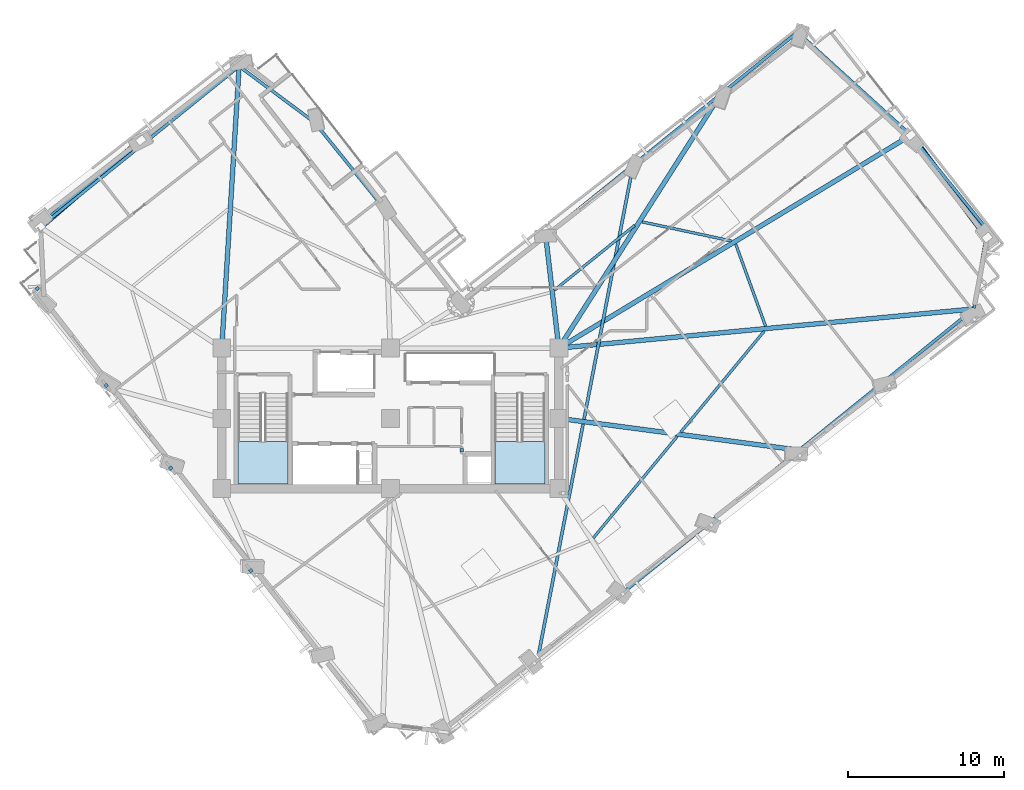
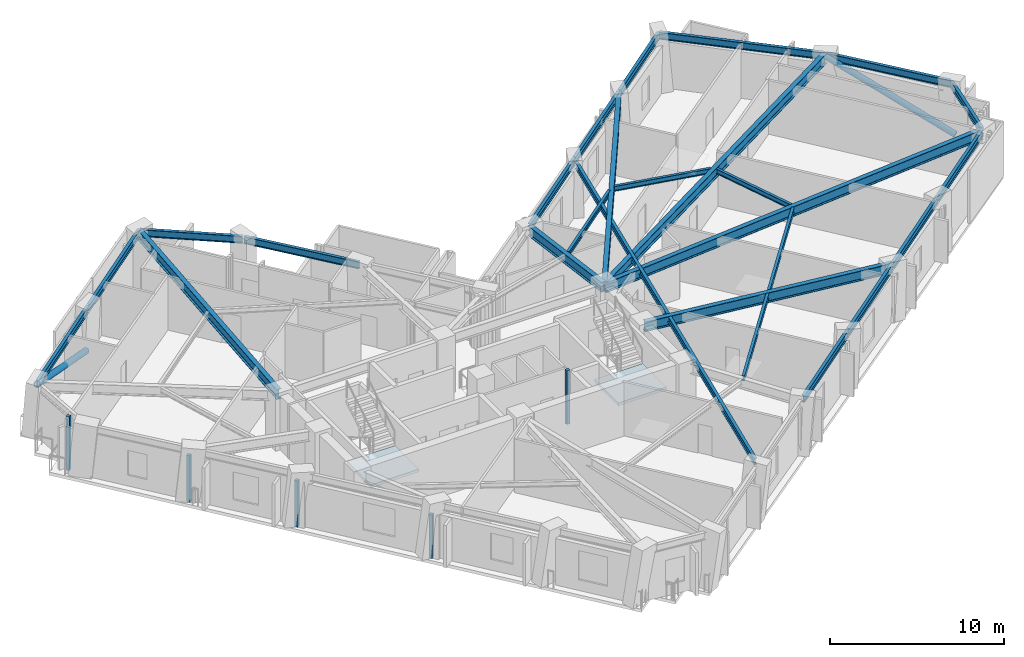
# One storey, part 2 of 14: 26 beams, 5 plates, 2 members, 2 slabs, 2 elements without a shape of their own.
"""IFC4 building model written with IfcOpenShell, lengths in metres."""

from ifc_helpers import new_model, si_unit, direction, frame, origin, origin_2d, place, context, subcontext, project, spatial, polyline, rectangle, hollow_circle, i_section, outline, extrude, material, layer, layer_set, material_profile, profile_set, type_object, element, aggregate, save


model = new_model("IFC4")

# Units and contexts
model_context = context("Model", 3, precision=1e-05, world=origin(), true_north=direction((0.0, 1.0)))
body_context = subcontext(model_context, "Body", "Model", "MODEL_VIEW")
ifc_project = project(units=[si_unit("LENGTHUNIT", "METRE"), si_unit("AREAUNIT", "SQUARE_METRE"), si_unit("VOLUMEUNIT", "CUBIC_METRE"), si_unit("PLANEANGLEUNIT", "RADIAN"), si_unit("MASSUNIT", "GRAM", prefix="KILO")], contexts=[model_context])

# Site, building, storey
site_placement = place(None, origin())
site = spatial("IfcSite", under=ifc_project, at=site_placement, CompositionType="ELEMENT")
building_placement = place(site_placement, origin())
building = spatial("IfcBuilding", under=site, at=building_placement, Name="Gaonmaruhae Medical Tower", CompositionType="ELEMENT")
storey_placement = place(building_placement, frame((0.0, 0.0, 185.800048828125)))
storey = spatial("IfcBuildingStorey", under=building, at=storey_placement, Name="L44", CompositionType="ELEMENT", Elevation=185.800048828125)

# Beams
ifc_material_1 = material(Name="Steel SM355", Category="steel")
ifc_material_profile_1 = material_profile(ifc_material_1, i_section(OverallWidth=0.175048828125, OverallDepth=0.35009765625, WebThickness=0.007080078125, FlangeThickness=0.010986328125, FilletRadius=0.012939453125, at=origin_2d()), Name="H-350x175x7x11")
ifc_profile_set_1 = profile_set([ifc_material_profile_1], Name="Steel SM355")
beam_type_1 = type_object("IfcBeamType", Name="FJ-02 Upper Zone Ward Floor Joist (H-350x175x7x11)", PredefinedType="JOIST", material=ifc_profile_set_1)
beam_1_placement = place(storey_placement, frame((37.809326171875, 4.631103515625, 3.60498046875), z_axis=(0.636996509711, 0.770866685371, 0.0), x_axis=(-0.770866685371, 0.636996509711, 0.0)))
element("IfcBeam", 1, at=beam_1_placement, inside=storey, type_object=beam_type_1, Name="L44 Secondary Floor Joist FJ02", PredefinedType="JOIST", context=body_context, shape_type="SweptSolid", body=[
    extrude(i_section(OverallWidth=0.175048828125, OverallDepth=0.35009765625, WebThickness=0.007080078125, FlangeThickness=0.010986328125, FilletRadius=0.012939453125, at=origin_2d()), origin(), (0.0, 0.0, 1.0), 8.44384765625),
])
beam_2_placement = place(storey_placement, frame((43.421142578125, 11.422119140625, 3.60498046875), z_axis=(0.636984470745, 0.77087663347, 0.0), x_axis=(-0.77087663347, 0.636984470745, 0.0)))
element("IfcBeam", 2, at=beam_2_placement, inside=storey, type_object=beam_type_1, Name="L44 Secondary Floor Joist FJ03", PredefinedType="JOIST", context=body_context, shape_type="SweptSolid", body=[
    extrude(i_section(OverallWidth=0.175048828125, OverallDepth=0.35009765625, WebThickness=0.007080078125, FlangeThickness=0.010986328125, FilletRadius=0.012939453125, at=origin_2d()), origin(), (0.0, 0.0, 1.0), 8.389404296875),
])
beam_3_placement = place(storey_placement, frame((48.848876953125, 18.208740234375, 3.60498046875), z_axis=(-0.341687073238, 0.939813781545, 0.0), x_axis=(-0.939813781545, -0.341687073238, 0.0)))
element("IfcBeam", 3, at=beam_3_placement, inside=storey, type_object=beam_type_1, Name="L44 Secondary Floor Joist FJ04", PredefinedType="JOIST", context=body_context, shape_type="SweptSolid", body=[
    extrude(i_section(OverallWidth=0.175048828125, OverallDepth=0.35009765625, WebThickness=0.007080078125, FlangeThickness=0.010986328125, FilletRadius=0.012939453125, at=origin_2d()), origin(), (0.0, 0.0, 1.0), 5.601806640625),
])
beam_4_placement = place(storey_placement, frame((46.66064453125, 23.669677734375, 3.60498046875), z_axis=(-0.97790188332, 0.209064359943, 0.0), x_axis=(-0.209064359943, -0.97790188332, 0.0)))
element("IfcBeam", 4, at=beam_4_placement, inside=storey, type_object=beam_type_1, Name="L44 Secondary Floor Joist FJ05", PredefinedType="JOIST", context=body_context, shape_type="SweptSolid", body=[
    extrude(i_section(OverallWidth=0.175048828125, OverallDepth=0.35009765625, WebThickness=0.007080078125, FlangeThickness=0.010986328125, FilletRadius=0.012939453125, at=origin_2d()), origin(), (0.0, 0.0, 1.0), 5.84814453125),
])
beam_5_placement = place(storey_placement, frame((40.4677734375, 24.675048828125, 3.60498046875), z_axis=(-0.777708714043, -0.628624813463, 0.0), x_axis=(0.628624813463, -0.777708714043, 0.0)))
element("IfcBeam", 5, at=beam_5_placement, inside=storey, type_object=beam_type_1, Name="L44 Secondary Floor Joist FJ06", PredefinedType="JOIST", context=body_context, shape_type="SweptSolid", body=[
    extrude(i_section(OverallWidth=0.175048828125, OverallDepth=0.35009765625, WebThickness=0.007080078125, FlangeThickness=0.010986328125, FilletRadius=0.012939453125, at=origin_2d()), origin(), (0.0, 0.0, 1.0), 6.615966796875),
])

# Members
ifc_material_2 = material(Name="Steel SM420", Category="steel")
ifc_material_profile_2 = material_profile(ifc_material_2, hollow_circle(Radius=0.203125, WallThickness=0.0126953125, at=origin_2d()), Name="CHS-406.4x12.7")
ifc_profile_set_2 = profile_set([ifc_material_profile_2], Name="Steel SM420")
member_type = type_object("IfcMemberType", Name="PB-02 Perimeter Solid-Bay Tube Brace Mid (CHS-406.4x12.7)", PredefinedType="BRACE", material=ifc_profile_set_2)
member_1_placement = place(storey_placement, frame((63.0537109375, 23.890625, 0.25), z_axis=(-0.555168131508, 0.743807275548, 0.372208385988), x_axis=(-0.801387626266, -0.598145360651, 0.0)))
element("IfcMember", 6, at=member_1_placement, inside=storey, type_object=member_type, Name="L44 Perimeter Tube Solid-Bay Brace E01-E02", PredefinedType="BRACE", context=body_context, shape_type="SweptSolid", body=[
    extrude(hollow_circle(Radius=0.203125, WallThickness=0.0126953125, at=origin_2d()), origin(), (0.0, 0.0, 1.0), 8.812255859375),
])
member_2_placement = place(storey_placement, frame((8.8203125, 30.122314453125, 0.25), z_axis=(-0.707174598138, -0.609149602839, 0.358944075182), x_axis=(0.652642293142, -0.757666177946, 0.0)))
element("IfcMember", 7, at=member_2_placement, inside=storey, type_object=member_type, Name="L44 Perimeter Tube Solid-Bay Brace N02-N03", PredefinedType="BRACE", context=body_context, shape_type="SweptSolid", body=[
    extrude(hollow_circle(Radius=0.203125, WallThickness=0.0126953125, at=origin_2d()), origin(), (0.0, 0.0, 1.0), 9.137939453125),
])

# Beams
ifc_material_profile_3 = material_profile(ifc_material_2, i_section(OverallWidth=0.300048828125, OverallDepth=0.699951171875, WebThickness=0.012939453125, FlangeThickness=0.02392578125, FilletRadius=0.01806640625, at=origin_2d()), Name="H-700x300x13x24")
ifc_profile_set_3 = profile_set([ifc_material_profile_3], Name="Steel SM420")
beam_type_2 = type_object("IfcBeamType", Name="PG-03 Zone 3 Radial Floor Girder (H-700x300x13x24)", PredefinedType="BEAM", material=ifc_profile_set_3)
beam_6_placement = place(storey_placement, frame((35.649658203125, 12.29345703125, 3.429931640625), z_axis=(0.991368580374, -0.131104301409, 0.0), x_axis=(0.131104301409, 0.991368580374, 0.0)))
element("IfcBeam", 8, at=beam_6_placement, inside=storey, type_object=beam_type_2, Name="L44 Radial Primary Girder S05", PredefinedType="BEAM", context=body_context, shape_type="SweptSolid", body=[
    extrude(i_section(OverallWidth=0.300048828125, OverallDepth=0.699951171875, WebThickness=0.012939453125, FlangeThickness=0.02392578125, FilletRadius=0.01806640625, at=origin_2d()), origin(), (0.0, 0.0, 1.0), 15.443115234375),
])
beam_7_placement = place(storey_placement, frame((35.649658203125, 16.8046875, 3.429931640625), z_axis=(0.995563456979, 0.094092524296, 0.0), x_axis=(-0.094092524296, 0.995563456979, 0.0)))
element("IfcBeam", 9, at=beam_7_placement, inside=storey, type_object=beam_type_2, Name="L44 Radial Primary Girder S07", PredefinedType="BEAM", context=body_context, shape_type="SweptSolid", body=[
    extrude(i_section(OverallWidth=0.300048828125, OverallDepth=0.699951171875, WebThickness=0.012939453125, FlangeThickness=0.02392578125, FilletRadius=0.01806640625, at=origin_2d()), origin(), (0.0, 0.0, 1.0), 26.626708984375),
])
beam_8_placement = place(storey_placement, frame((35.642822265625, 16.825927734375, 3.429931640625), z_axis=(0.855671011704, 0.517520163596, 0.0), x_axis=(-0.517520163596, 0.855671011704, 0.0)))
element("IfcBeam", 10, at=beam_8_placement, inside=storey, type_object=beam_type_2, Name="L44 Radial Primary Girder E02", PredefinedType="BEAM", context=body_context, shape_type="SweptSolid", body=[
    extrude(i_section(OverallWidth=0.300048828125, OverallDepth=0.699951171875, WebThickness=0.012939453125, FlangeThickness=0.02392578125, FilletRadius=0.01806640625, at=origin_2d()), origin(), (0.0, 0.0, 1.0), 26.2666015625),
])
beam_9_placement = place(storey_placement, frame((35.626953125, 16.84228515625, 3.429931640625), z_axis=(0.537428207394, 0.8433095054, 0.0), x_axis=(-0.8433095054, 0.537428207394, 0.0)))
element("IfcBeam", 11, at=beam_9_placement, inside=storey, type_object=beam_type_2, Name="L44 Radial Primary Girder EN01", PredefinedType="BEAM", context=body_context, shape_type="SweptSolid", body=[
    extrude(i_section(OverallWidth=0.300048828125, OverallDepth=0.699951171875, WebThickness=0.012939453125, FlangeThickness=0.02392578125, FilletRadius=0.01806640625, at=origin_2d()), origin(), (0.0, 0.0, 1.0), 19.174072265625),
])
beam_10_placement = place(storey_placement, frame((35.59423828125, 16.849609375, 3.429931640625), z_axis=(-0.115882383801, 0.993262942591, 0.0), x_axis=(-0.993262942591, -0.115882383801, 0.0)))
element("IfcBeam", 12, at=beam_10_placement, inside=storey, type_object=beam_type_2, Name="L44 Radial Primary Girder EN03", PredefinedType="BEAM", context=body_context, shape_type="SweptSolid", body=[
    extrude(i_section(OverallWidth=0.300048828125, OverallDepth=0.699951171875, WebThickness=0.012939453125, FlangeThickness=0.02392578125, FilletRadius=0.01806640625, at=origin_2d()), origin(), (0.0, 0.0, 1.0), 7.150390625),
])
beam_11_placement = place(storey_placement, frame((14.003173828125, 16.849853515625, 3.429931640625), z_axis=(0.061456153611, 0.998109784134, 0.0), x_axis=(-0.998109784134, 0.061456153611, 0.0)))
element("IfcBeam", 13, at=beam_11_placement, inside=storey, type_object=beam_type_2, Name="L44 Radial Primary Girder N01", PredefinedType="BEAM", context=body_context, shape_type="SweptSolid", body=[
    extrude(i_section(OverallWidth=0.300048828125, OverallDepth=0.699951171875, WebThickness=0.012939453125, FlangeThickness=0.02392578125, FilletRadius=0.01806640625, at=origin_2d()), origin(), (0.0, 0.0, 1.0), 17.999755859375),
])
ifc_material_profile_4 = material_profile(ifc_material_1, i_section(OverallWidth=0.199951171875, OverallDepth=0.5, WebThickness=0.010009765625, FlangeThickness=0.01611328125, FilletRadius=0.012939453125, at=origin_2d()), Name="H-500x200x10x16")
ifc_profile_set_4 = profile_set([ifc_material_profile_4], Name="Steel SM355")
beam_type_3 = type_object("IfcBeamType", Name="SP-02 Upper Perimeter Spandrel Beam (H-500x200x10x16)", PredefinedType="SPANDREL", material=ifc_profile_set_4)
for number, where, z_axis, x_axis, name in (
    (14, (39.841552734375, 1.235107421875, 3.530029296875), (0.777697438528, 0.62863876281, 0.0), (-0.62863876281, 0.777697438528, 0.0), "L44 Perimeter Spandrel Beam S03-S04"),
    (15, (45.44091796875, 5.76123046875, 3.530029296875), (0.777697438528, 0.62863876281, 0.0), (-0.62863876281, 0.777697438528, 0.0), "L44 Perimeter Spandrel Beam S04-S05"),
):
    element("IfcBeam", number, at=place(storey_placement, frame(where, z_axis=z_axis, x_axis=x_axis)), inside=storey, type_object=beam_type_3, Name=name, PredefinedType="SPANDREL", context=body_context, shape_type="SweptSolid", body=[
        extrude(i_section(OverallWidth=0.199951171875, OverallDepth=0.5, WebThickness=0.010009765625, FlangeThickness=0.01611328125, FilletRadius=0.012939453125, at=origin_2d()), origin(), (0.0, 0.0, 1.0), 7.119873046875),
    ])
beam_12_placement = place(storey_placement, frame((51.040283203125, 10.287353515625, 3.530029296875), z_axis=(0.777680674544, 0.628659501194, 0.0), x_axis=(-0.628659501194, 0.777680674544, 0.0)))
element("IfcBeam", 16, at=beam_12_placement, inside=storey, type_object=beam_type_3, Name="L44 Perimeter Spandrel Beam S05-S06", PredefinedType="SPANDREL", context=body_context, shape_type="SweptSolid", body=[
    extrude(i_section(OverallWidth=0.199951171875, OverallDepth=0.5, WebThickness=0.010009765625, FlangeThickness=0.01611328125, FilletRadius=0.012939453125, at=origin_2d()), origin(), (0.0, 0.0, 1.0), 7.1201171875),
])
beam_13_placement = place(storey_placement, frame((56.6396484375, 14.813720703125, 3.530029296875), z_axis=(0.777697438528, 0.62863876281, 0.0), x_axis=(-0.62863876281, 0.777697438528, 0.0)))
element("IfcBeam", 17, at=beam_13_placement, inside=storey, type_object=beam_type_3, Name="L44 Perimeter Spandrel Beam S06-S07", PredefinedType="SPANDREL", context=body_context, shape_type="SweptSolid", body=[
    extrude(i_section(OverallWidth=0.199951171875, OverallDepth=0.5, WebThickness=0.010009765625, FlangeThickness=0.01611328125, FilletRadius=0.012939453125, at=origin_2d()), origin(), (0.0, 0.0, 1.0), 7.119873046875),
])
beam_14_placement = place(storey_placement, frame((62.214599609375, 19.354248046875, 3.530029296875), z_axis=(0.166817864016, 0.985987728243, 0.0), x_axis=(-0.985987728243, 0.166817864016, 0.0)))
element("IfcBeam", 18, at=beam_14_placement, inside=storey, type_object=beam_type_3, Name="L44 Perimeter Spandrel Beam S07-E01", PredefinedType="SPANDREL", context=body_context, shape_type="SweptSolid", body=[
    extrude(i_section(OverallWidth=0.199951171875, OverallDepth=0.5, WebThickness=0.010009765625, FlangeThickness=0.01611328125, FilletRadius=0.012939453125, at=origin_2d()), origin(), (0.0, 0.0, 1.0), 5.056396484375),
])
beam_15_placement = place(storey_placement, frame((63.03955078125, 24.410400390625, 3.530029296875), z_axis=(-0.6286440228, 0.777693186673, 0.0), x_axis=(-0.777693186673, -0.6286440228, 0.0)))
element("IfcBeam", 19, at=beam_15_placement, inside=storey, type_object=beam_type_3, Name="L44 Perimeter Spandrel Beam E01-E02", PredefinedType="SPANDREL", context=body_context, shape_type="SweptSolid", body=[
    extrude(i_section(OverallWidth=0.199951171875, OverallDepth=0.5, WebThickness=0.010009765625, FlangeThickness=0.01611328125, FilletRadius=0.012939453125, at=origin_2d()), origin(), (0.0, 0.0, 1.0), 7.7197265625),
])
beam_16_placement = place(storey_placement, frame((58.131591796875, 30.47216796875, 3.530029296875), z_axis=(-0.740103456063, 0.672493029201, 0.0), x_axis=(-0.672493029201, -0.740103456063, 0.0)))
element("IfcBeam", 20, at=beam_16_placement, inside=storey, type_object=beam_type_3, Name="L44 Perimeter Spandrel Beam E02-E03", PredefinedType="SPANDREL", context=body_context, shape_type="SweptSolid", body=[
    extrude(i_section(OverallWidth=0.199951171875, OverallDepth=0.5, WebThickness=0.010009765625, FlangeThickness=0.01611328125, FilletRadius=0.012939453125, at=origin_2d()), origin(), (0.0, 0.0, 1.0), 9.7353515625),
])
beam_17_placement = place(storey_placement, frame((50.86572265625, 37.020751953125, 3.530029296875), z_axis=(-0.777679036094, -0.628661528026, 0.0), x_axis=(0.628661528026, -0.777679036094, 0.0)))
element("IfcBeam", 21, at=beam_17_placement, inside=storey, type_object=beam_type_3, Name="L44 Perimeter Spandrel Beam E03-EN01", PredefinedType="SPANDREL", context=body_context, shape_type="SweptSolid", body=[
    extrude(i_section(OverallWidth=0.199951171875, OverallDepth=0.5, WebThickness=0.010009765625, FlangeThickness=0.01611328125, FilletRadius=0.012939453125, at=origin_2d()), origin(), (0.0, 0.0, 1.0), 6.27001953125),
])
for number, where, z_axis, x_axis, name in (
    (22, (45.927490234375, 33.02880859375, 3.530029296875), (-0.777710988942, -0.628621999042, 0.0), (0.628621999042, -0.777710988942, 0.0), "L44 Perimeter Spandrel Beam EN01-EN02"),
    (23, (40.328125, 28.502685546875, 3.530029296875), (-0.777694225559, -0.628642737596, 0.0), (0.628642737596, -0.777694225559, 0.0), "L44 Perimeter Spandrel Beam EN02-EN03"),
    (24, (24.457763671875, 25.690673828125, 3.510009765625), (-0.628642737596, 0.777694225559, 0.0), (-0.777694225559, -0.628642737596, 0.0), "L44 Perimeter Spandrel Beam NE01-NE02"),
):
    element("IfcBeam", number, at=place(storey_placement, frame(where, z_axis=z_axis, x_axis=x_axis)), inside=storey, type_object=beam_type_3, Name=name, PredefinedType="SPANDREL", context=body_context, shape_type="SweptSolid", body=[
        extrude(i_section(OverallWidth=0.199951171875, OverallDepth=0.5, WebThickness=0.010009765625, FlangeThickness=0.01611328125, FilletRadius=0.012939453125, at=origin_2d()), origin(), (0.0, 0.0, 1.0), 7.1201171875),
    ])
beam_18_placement = place(storey_placement, frame((19.924560546875, 31.282958984375, 3.510009765625), z_axis=(-0.802104068389, 0.597184279325, 0.0), x_axis=(-0.597184279325, -0.802104068389, 0.0)))
element("IfcBeam", 25, at=beam_18_placement, inside=storey, type_object=beam_type_3, Name="L44 Perimeter Spandrel Beam NE02-N01", PredefinedType="SPANDREL", context=body_context, shape_type="SweptSolid", body=[
    extrude(i_section(OverallWidth=0.199951171875, OverallDepth=0.5, WebThickness=0.010009765625, FlangeThickness=0.01611328125, FilletRadius=0.012939453125, at=origin_2d()), origin(), (0.0, 0.0, 1.0), 5.95947265625),
])
beam_19_placement = place(storey_placement, frame((15.081298828125, 34.84033203125, 3.530029296875), z_axis=(-0.777690701155, -0.628647097613, 0.0), x_axis=(0.628647097613, -0.777690701155, 0.0)))
element("IfcBeam", 26, at=beam_19_placement, inside=storey, type_object=beam_type_3, Name="L44 Perimeter Spandrel Beam N01-N02", PredefinedType="SPANDREL", context=body_context, shape_type="SweptSolid", body=[
    extrude(i_section(OverallWidth=0.199951171875, OverallDepth=0.5, WebThickness=0.010009765625, FlangeThickness=0.01611328125, FilletRadius=0.012939453125, at=origin_2d()), origin(), (0.0, 0.0, 1.0), 8.119873046875),
])
beam_20_placement = place(storey_placement, frame((8.704345703125, 29.685546875, 3.530029296875), z_axis=(-0.77770258325, -0.628632398152, 0.0), x_axis=(0.628632398152, -0.77770258325, 0.0)))
element("IfcBeam", 27, at=beam_20_placement, inside=storey, type_object=beam_type_3, Name="L44 Perimeter Spandrel Beam N02-N03", PredefinedType="SPANDREL", context=body_context, shape_type="SweptSolid", body=[
    extrude(i_section(OverallWidth=0.199951171875, OverallDepth=0.5, WebThickness=0.010009765625, FlangeThickness=0.01611328125, FilletRadius=0.012939453125, at=origin_2d()), origin(), (0.0, 0.0, 1.0), 8.1201171875),
])
ifc_material_profile_5 = material_profile(ifc_material_1, i_section(OverallWidth=0.199951171875, OverallDepth=0.449951171875, WebThickness=0.009033203125, FlangeThickness=0.013916015625, FilletRadius=0.012939453125, at=origin_2d()), Name="H-450x200x9x14")
ifc_profile_set_5 = profile_set([ifc_material_profile_5], Name="Steel SM355")
beam_type_4 = type_object("IfcBeamType", Name="SP-03 Ribbon Edge Spandrel Beam (H-450x200x9x14)", PredefinedType="SPANDREL", material=ifc_profile_set_5)
beam_21_placement = place(storey_placement, frame((34.296142578125, -2.87451171875, 3.554931640625), z_axis=(0.189576755437, 0.981865904184, 0.0), x_axis=(-0.981865904184, 0.189576755437, 0.0)))
element("IfcBeam", 28, at=beam_21_placement, inside=storey, type_object=beam_type_4, Name="L44 Ribbon Transverse Spandrel 1", PredefinedType="SPANDREL", context=body_context, shape_type="SweptSolid", body=[
    extrude(i_section(OverallWidth=0.199951171875, OverallDepth=0.449951171875, WebThickness=0.009033203125, FlangeThickness=0.013916015625, FilletRadius=0.012939453125, at=origin_2d()), origin(), (0.0, 0.0, 1.0), 31.5322265625),
])

# Plates
ifc_material_3 = material(Name="Anodised aluminium 6063-T6", Category="aluminium")
ifc_layer_1 = layer(ifc_material_3, 0.011962890625)
ifc_layer_set_1 = layer_set([ifc_layer_1], Name="Anodised aluminium 6063-T6")
plate_type = type_object("IfcPlateType", Name="PP-01 Interior Partition Corner Stiffener Plate", PredefinedType="SHEET", material=ifc_layer_set_1)
plate_1_placement = place(storey_placement, frame((29.3798828125, 10.260009765625, 0.0), z_axis=(0.0, 0.0, 1.0), x_axis=(0.0, -1.0, 0.0)))
element("IfcPlate", 29, at=plate_1_placement, inside=storey, type_object=plate_type, Name="L44 Partition Corner Stiffener Plate PLT-L44-JGP-PW002", PredefinedType="SHEET", context=body_context, shape_type="SweptSolid", body=[
    extrude(rectangle(XDim=0.219970703125, YDim=0.219970703125, at=origin_2d()), origin(), (0.0, 0.0, 1.0), 3.780029296875),
])
plate_2_placement = place(storey_placement, frame((15.867431640625, 2.535888671875, 0.0), z_axis=(0.0, 0.0, 1.0), x_axis=(-0.615138711436, 0.78841890242, 0.0)))
element("IfcPlate", 30, at=plate_2_placement, inside=storey, type_object=plate_type, Name="L44 Partition Corner Stiffener Plate PLT-L44-JGP-PW031", PredefinedType="SHEET", context=body_context, shape_type="SweptSolid", body=[
    extrude(rectangle(XDim=0.219970703125, YDim=0.219970703125, at=origin_2d()), origin(), (0.0, 0.0, 1.0), 3.06494140625),
])
for number, where, z_axis, x_axis, name in (
    (31, (10.7275390625, 9.115966796875, 0.0), (0.0, 0.0, 1.0), (-0.615688981715, 0.787989262487, 0.0), "L44 Partition Corner Stiffener Plate PLT-L44-JGP-PW036"),
    (32, (6.593505859375, 14.406005859375, 0.0), (0.0, 0.0, 1.0), (-0.61564772185, 0.788021498807, 0.0), "L44 Partition Corner Stiffener Plate PLT-L44-JGP-PW039"),
):
    element("IfcPlate", number, at=place(storey_placement, frame(where, z_axis=z_axis, x_axis=x_axis)), inside=storey, type_object=plate_type, Name=name, PredefinedType="SHEET", context=body_context, shape_type="SweptSolid", body=[
        extrude(rectangle(XDim=0.219970703125, YDim=0.219970703125, at=origin_2d()), origin(), (0.0, 0.0, 1.0), 3.264892578125),
    ])
plate_3_placement = place(storey_placement, frame((2.177978515625, 20.618408203125, 0.0), z_axis=(0.0, 0.0, 1.0), x_axis=(0.788021498807, 0.61564772185, 0.0)))
element("IfcPlate", 33, at=plate_3_placement, inside=storey, type_object=plate_type, Name="L44 Partition Corner Stiffener Plate PLT-L44-JGP-PW041", PredefinedType="SHEET", context=body_context, shape_type="SweptSolid", body=[
    extrude(rectangle(XDim=0.219970703125, YDim=0.219970703125, at=origin_2d()), origin(), (0.0, 0.0, 1.0), 3.780029296875),
])

# Stair, slab
ifc_material_4 = material(Name="Concrete C40/50", Category="concrete")
stair_type = type_object("IfcStairType", Name="ST-T1 Primary Core Escape Dogleg Stair", PredefinedType="TWO_QUARTER_TURN_STAIR", material=ifc_material_4)
stair_1_placement = place(storey_placement, origin())
stair_1 = element("IfcStair", 34, at=stair_1_placement, inside=storey, type_object=stair_type, Name="L44 Protected Escape Stair ST-01", PredefinedType="TWO_QUARTER_TURN_STAIR")
ifc_layer_2 = layer(ifc_material_4, 0.199951171875)
ifc_layer_set_2 = layer_set([ifc_layer_2], Name="Concrete C40/50")
slab_type = type_object("IfcSlabType", Name="SL-200 Stair & Ramp Intermediate Concrete Landing", PredefinedType="LANDING", material=ifc_layer_set_2)
slab_1_placement = place(storey_placement, frame((0.0, 0.0, 1.800048828125)))
slab_1 = element("IfcSlab", 35, at=slab_1_placement, type_object=slab_type, Name="ST-01 landing 1", PredefinedType="LANDING", context=body_context, shape_type="SweptSolid", body=[
    extrude(outline(polyline([(15.050048828125, 10.820068359375), (15.050048828125, 8.0791015625), (18.25, 8.0791015625), (18.25, 10.820068359375), (15.050048828125, 10.820068359375)])), origin(), (0.0, 0.0, 1.0), 0.199951171875),
])
aggregate(stair_1, [slab_1])

stair_2_placement = place(storey_placement, origin())
stair_2 = element("IfcStair", 36, at=stair_2_placement, inside=storey, type_object=stair_type, Name="L44 Protected Escape Stair ST-02", PredefinedType="TWO_QUARTER_TURN_STAIR")
slab_2_placement = place(storey_placement, frame((0.0, 0.0, 1.800048828125)))
slab_2 = element("IfcSlab", 37, at=slab_2_placement, type_object=slab_type, Name="ST-02 landing 1", PredefinedType="LANDING", context=body_context, shape_type="SweptSolid", body=[
    extrude(outline(polyline([(31.5, 10.820068359375), (31.5, 8.0791015625), (34.699951171875, 8.0791015625), (34.699951171875, 10.820068359375), (31.5, 10.820068359375)])), origin(), (0.0, 0.0, 1.0), 0.199951171875),
])
aggregate(stair_2, [slab_2])

save(model, "model.ifc")
